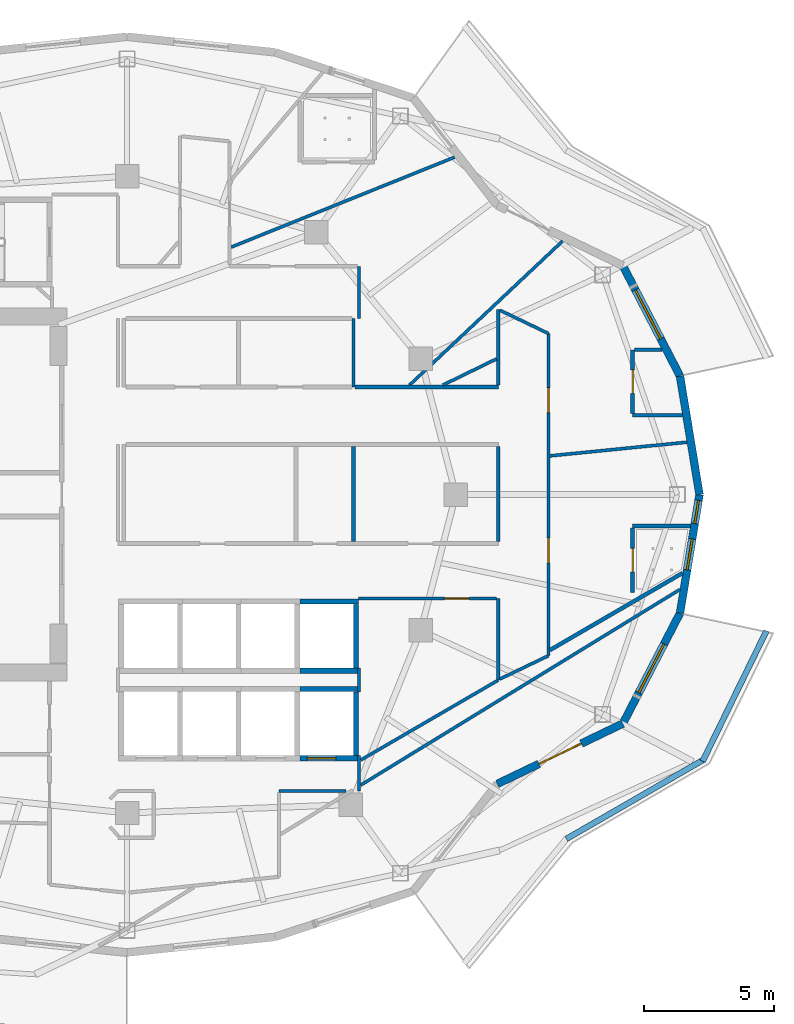
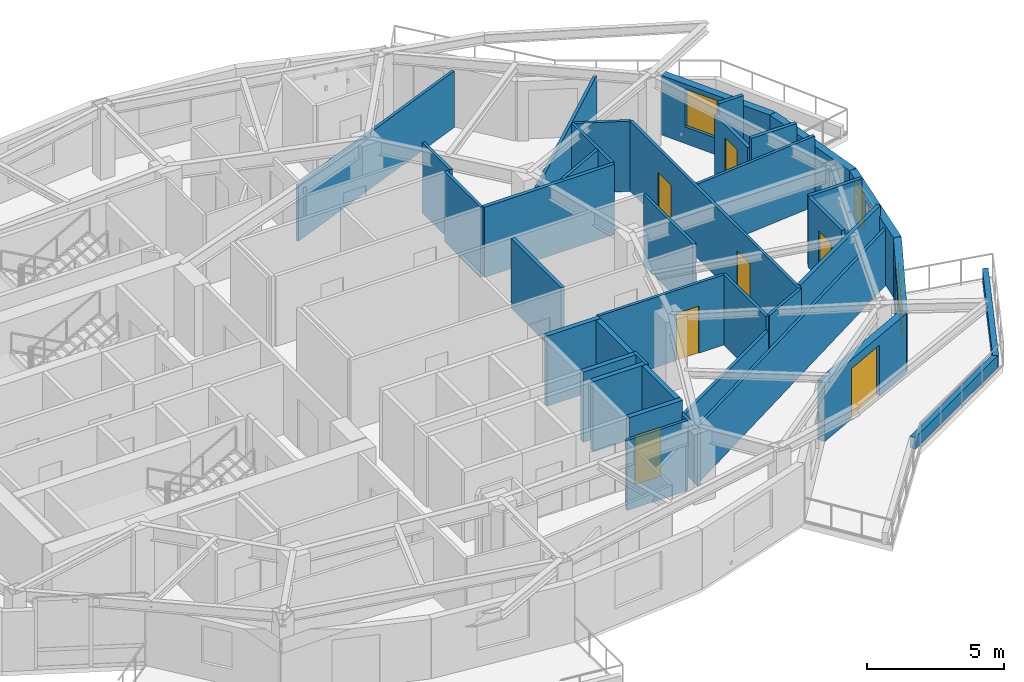
# One storey, part 10 of 16: 39 walls, 7 doors, 4 windows, 11 openings.
"""IFC4 building model written with IfcOpenShell, lengths in metres."""

from ifc_helpers import new_model, si_unit, direction, frame, frame_2d, origin, place, context, subcontext, project, spatial, rectangle, extrude, material, layer, layer_set, type_object, element, fill, save


model = new_model("IFC4")

# Units and contexts
model_context = context("Model", 3, precision=1e-05, world=origin(), true_north=direction((0.0, 1.0)))
body_context = subcontext(model_context, "Body", "Model", "MODEL_VIEW")
ifc_project = project(units=[si_unit("LENGTHUNIT", "METRE"), si_unit("AREAUNIT", "SQUARE_METRE"), si_unit("VOLUMEUNIT", "CUBIC_METRE"), si_unit("PLANEANGLEUNIT", "RADIAN"), si_unit("MASSUNIT", "GRAM", prefix="KILO")], contexts=[model_context])

# Site, building, storey
site_placement = place(None, origin())
site = spatial("IfcSite", under=ifc_project, at=site_placement, CompositionType="ELEMENT")
building_placement = place(site_placement, origin())
building = spatial("IfcBuilding", under=site, at=building_placement, Name="Kolvaren Gate Tower and Convention Centre", CompositionType="ELEMENT")
storey_placement = place(building_placement, frame((0.0, 0.0, 149.5)))
storey = spatial("IfcBuildingStorey", under=building, at=storey_placement, Name="L38", CompositionType="ELEMENT", Elevation=149.5)

# Walls
ifc_material_1 = material(Name="Fire-Rated Acoustic Gypsum Stud Partition", Category="gypsum")
ifc_layer_1 = layer(ifc_material_1, 0.1201171875)
ifc_layer_set_1 = layer_set([ifc_layer_1], Name="Fire-Rated Acoustic Gypsum Stud Partition")
wall_type_1 = type_object("IfcWallType", Name="ARCH-WL-PART-120", PredefinedType="PARTITIONING", material=ifc_layer_set_1)
wall_1_placement = place(storey_placement, frame((38.800048828125, 31.1201171875, 0.0), z_axis=(0.0, 0.0, 1.0), x_axis=(0.0, 1.0, 0.0)))
element("IfcWall", 1, at=wall_1_placement, inside=storey, type_object=wall_type_1, Name="Interior Partition WL-L38-INT-019", PredefinedType="PARTITIONING", context=body_context, shape_type="SweptSolid", body=[
    extrude(rectangle(XDim=2.6298828125, YDim=0.1201171875, at=frame_2d((1.31494140625, 0.0))), origin(), (0.0, 0.0, 1.0), 3.1298828125),
])
wall_2_placement = place(storey_placement, frame((39.02001953125, 15.64990234375, 0.0), z_axis=(0.0, 0.0, 1.0), x_axis=(0.0, 1.0, 0.0)))
element("IfcWall", 2, at=wall_2_placement, inside=storey, type_object=wall_type_1, Name="Interior Partition WL-L38-INT-023", PredefinedType="PARTITIONING", context=body_context, shape_type="SweptSolid", body=[
    extrude(rectangle(XDim=1.360107421875, YDim=0.1201171875, at=frame_2d((0.68017578125, 0.0))), origin(), (0.0, 0.0, 1.0), 2.5048828125),
])
wall_3_placement = place(storey_placement, frame((39.02001953125, 19.43994140625, 0.0), z_axis=(0.0, 0.0, 1.0), x_axis=(0.0, 1.0, 0.0)))
element("IfcWall", 3, at=wall_3_placement, inside=storey, type_object=wall_type_1, Name="Interior Partition WL-L38-INT-023 (2)", PredefinedType="PARTITIONING", context=body_context, shape_type="SweptSolid", body=[
    extrude(rectangle(XDim=0.920166015625, YDim=0.1201171875, at=frame_2d((0.4599609375, 0.0))), origin(), (0.0, 0.0, 1.0), 3.1298828125),
])
wall_4_placement = place(storey_placement, frame((39.02001953125, 33.75, 0.0), z_axis=(0.0, 0.0, 1.0), x_axis=(0.0, 1.0, 0.0)))
element("IfcWall", 4, at=wall_4_placement, inside=storey, type_object=wall_type_1, Name="Interior Partition WL-L38-INT-024", PredefinedType="PARTITIONING", context=body_context, shape_type="SweptSolid", body=[
    extrude(rectangle(XDim=2.0, YDim=0.1201171875, at=frame_2d((1.0, 0.0))), origin(), (0.0, 0.0, 1.0), 3.1298828125),
])
wall_5_placement = place(storey_placement, frame((35.949951171875, 15.64990234375, 0.0), z_axis=(0.0, 0.0, 1.0), x_axis=(1.0, 0.0, 0.0)))
element("IfcWall", 5, at=wall_5_placement, inside=storey, type_object=wall_type_1, Name="Interior Partition WL-L38-INT-026", PredefinedType="PARTITIONING", context=body_context, shape_type="SweptSolid", body=[
    extrude(rectangle(XDim=2.568115234375, YDim=0.1201171875, at=frame_2d((1.2841796875, 0.0))), origin(), (0.0, 0.0, 1.0), 3.1298828125),
])
wall_6_placement = place(storey_placement, frame((44.35009765625, 19.89111328125, 0.0), z_axis=(0.0, 0.0, 1.0), x_axis=(0.0, 1.0, 0.0)))
element("IfcWall", 6, at=wall_6_placement, inside=storey, type_object=wall_type_1, Name="Interior Partition WL-L38-INT-041", PredefinedType="PARTITIONING", context=body_context, shape_type="SweptSolid", body=[
    extrude(rectangle(XDim=3.12890625, YDim=0.1201171875, at=frame_2d((1.564453125, 0.0))), origin(), (0.0, 0.0, 1.0), 3.1298828125),
])
wall_7_placement = place(storey_placement, frame((44.35009765625, 25.197021484375, 0.0), z_axis=(0.0, 0.0, 1.0), x_axis=(0.0, 1.0, 0.0)))
element("IfcWall", 7, at=wall_7_placement, inside=storey, type_object=wall_type_1, Name="Interior Partition WL-L38-INT-042", PredefinedType="PARTITIONING", context=body_context, shape_type="SweptSolid", body=[
    extrude(rectangle(XDim=3.64599609375, YDim=0.1201171875, at=frame_2d((1.822998046875, 0.0))), origin(), (0.0, 0.0, 1.0), 3.1298828125),
])
wall_8_placement = place(storey_placement, frame((44.35009765625, 31.197021484375, 0.0), z_axis=(0.0, 0.0, 1.0), x_axis=(0.0, 1.0, 0.0)))
element("IfcWall", 8, at=wall_8_placement, inside=storey, type_object=wall_type_1, Name="Interior Partition WL-L38-INT-043", PredefinedType="PARTITIONING", context=body_context, shape_type="SweptSolid", body=[
    extrude(rectangle(XDim=2.89990234375, YDim=0.1201171875, at=frame_2d((1.449951171875, 0.0))), origin(), (0.0, 0.0, 1.0), 3.1298828125),
])
wall_9_placement = place(storey_placement, frame((44.412109375, 34.067138671875, 0.0), z_axis=(0.0, 0.0, 1.0), x_axis=(0.90128266231, -0.433231534656, 0.0)))
element("IfcWall", 9, at=wall_9_placement, inside=storey, type_object=wall_type_1, Name="Interior Partition WL-L38-INT-044", PredefinedType="PARTITIONING", context=body_context, shape_type="SweptSolid", body=[
    extrude(rectangle(XDim=2.0615234375, YDim=0.1201171875, at=frame_2d((1.03076171875, 0.0))), origin(), (0.0, 0.0, 1.0), 3.1298828125),
])

# Wall, openings, doors
wall_10_placement = place(storey_placement, frame((46.27001953125, 20.825927734375, 0.0), z_axis=(0.0, 0.0, 1.0), x_axis=(0.0, 1.0, 0.0)))
wall_10 = element("IfcWall", 10, at=wall_10_placement, inside=storey, type_object=wall_type_1, Name="Interior Partition WL-L38-INT-045", PredefinedType="PARTITIONING", context=body_context, shape_type="SweptSolid", body=[
    extrude(rectangle(XDim=12.34814453125, YDim=0.1201171875, at=frame_2d((6.174072265625, 0.0))), origin(), (0.0, 0.0, 1.0), 3.1298828125),
])
opening_1_placement = place(wall_10_placement, frame((3.5556640625, 0.0, 0.0)))
opening_1 = element("IfcOpeningElement", 11, at=opening_1_placement, cuts=wall_10, Name="Opening DR-01", PredefinedType="OPENING", context=body_context, shape_type="SweptSolid", body=[
    extrude(rectangle(XDim=0.949951171875, YDim=2.10009765625, at=frame_2d((0.47509765625, 1.050048828125))), frame((0.0, 0.070068359375, 0.0), z_axis=(0.0, -1.0, 0.0), x_axis=(1.0, 0.0, 0.0)), (0.0, 0.0, 1.0), 0.14013671875),
])
opening_2_placement = place(wall_10_placement, frame((9.318359375, 0.0, 0.0)))
opening_2 = element("IfcOpeningElement", 12, at=opening_2_placement, cuts=wall_10, Name="Opening DR-01", PredefinedType="OPENING", context=body_context, shape_type="SweptSolid", body=[
    extrude(rectangle(XDim=0.949951171875, YDim=2.10009765625, at=frame_2d((0.47509765625, 1.050048828125))), frame((0.0, 0.070068359375, 0.0), z_axis=(0.0, -1.0, 0.0), x_axis=(1.0, 0.0, 0.0)), (0.0, 0.0, 1.0), 0.14013671875),
])
ifc_material_2 = material(Name="Painted Architectural Steelwork ASTM A500 Grade C 345 MPa", Category="steel")
door_type_1 = type_object("IfcDoorType", Name="ARCH-DR-RISER-950", OperationType="SINGLE_SWING_RIGHT", PredefinedType="DOOR", material=ifc_material_2)
door_1_placement = place(opening_1_placement, origin())
door_1 = element("IfcDoor", 13, at=door_1_placement, inside=storey, type_object=door_type_1, Name="Deluxe Hotel Suite (HTL-L38-05) Door", OperationType="SINGLE_SWING_LEFT", OverallHeight=2.10009765625, OverallWidth=0.949951171875, PredefinedType="DOOR", context=body_context, shape_type="SweptSolid", body=[
    extrude(rectangle(XDim=0.949951171875, YDim=2.10009765625, at=frame_2d((0.47509765625, 1.050048828125))), frame((0.0, 0.02490234375, 0.0), z_axis=(0.0, -1.0, 0.0), x_axis=(1.0, 0.0, 0.0)), (0.0, 0.0, 1.0), 0.050048828125),
])
fill(opening_1, door_1)
door_2_placement = place(opening_2_placement, origin())
door_2 = element("IfcDoor", 14, at=door_2_placement, inside=storey, type_object=door_type_1, Name="Deluxe Hotel Suite (HTL-L38-07) Door", OperationType="SINGLE_SWING_LEFT", OverallHeight=2.10009765625, OverallWidth=0.949951171875, PredefinedType="DOOR", context=body_context, shape_type="SweptSolid", body=[
    extrude(rectangle(XDim=0.949951171875, YDim=2.10009765625, at=frame_2d((0.47509765625, 1.050048828125))), frame((0.0, 0.02490234375, 0.0), z_axis=(0.0, -1.0, 0.0), x_axis=(1.0, 0.0, 0.0)), (0.0, 0.0, 1.0), 0.050048828125),
])
fill(opening_2, door_2)

# Wall
wall_11_placement = place(storey_placement, frame((44.412109375, 19.932861328125, 0.0), z_axis=(0.0, 0.0, 1.0), x_axis=(0.90128266231, 0.433231534656, 0.0)))
element("IfcWall", 15, at=wall_11_placement, inside=storey, type_object=wall_type_1, Name="Interior Partition WL-L38-INT-046", PredefinedType="PARTITIONING", context=body_context, shape_type="SweptSolid", body=[
    extrude(rectangle(XDim=2.0615234375, YDim=0.1201171875, at=frame_2d((1.03076171875, 0.0))), origin(), (0.0, 0.0, 1.0), 3.1298828125),
])

# Wall, opening, door
wall_12_placement = place(storey_placement, frame((39.0, 23.02001953125, 0.0), z_axis=(0.0, 0.0, 1.0), x_axis=(1.0, 0.0, 0.0)))
wall_12 = element("IfcWall", 16, at=wall_12_placement, inside=storey, type_object=wall_type_1, Name="Interior Partition WL-L38-INT-047", PredefinedType="PARTITIONING", context=body_context, shape_type="SweptSolid", body=[
    extrude(rectangle(XDim=5.2880859375, YDim=0.1201171875, at=frame_2d((2.64404296875, 0.0))), origin(), (0.0, 0.0, 1.0), 3.1298828125),
])
opening_3_placement = place(wall_12_placement, frame((3.2890625, 0.0, 0.0)))
opening_3 = element("IfcOpeningElement", 17, at=opening_3_placement, cuts=wall_12, Name="Opening DR-01", PredefinedType="OPENING", context=body_context, shape_type="SweptSolid", body=[
    extrude(rectangle(XDim=0.949951171875, YDim=2.10009765625, at=frame_2d((0.47509765625, 1.050048828125))), frame((0.0, 0.070068359375, 0.0), z_axis=(0.0, -1.0, 0.0), x_axis=(1.0, 0.0, 0.0)), (0.0, 0.0, 1.0), 0.14013671875),
])
door_3_placement = place(opening_3_placement, origin())
door_3 = element("IfcDoor", 18, at=door_3_placement, inside=storey, type_object=door_type_1, Name="Banquet Tasting Pantry Door", OperationType="SINGLE_SWING_RIGHT", OverallHeight=2.10009765625, OverallWidth=0.949951171875, PredefinedType="DOOR", context=body_context, shape_type="SweptSolid", body=[
    extrude(rectangle(XDim=0.949951171875, YDim=2.10009765625, at=frame_2d((0.47509765625, 1.050048828125))), frame((0.0, 0.02490234375, 0.0), z_axis=(0.0, -1.0, 0.0), x_axis=(1.0, 0.0, 0.0)), (0.0, 0.0, 1.0), 0.050048828125),
])
fill(opening_3, door_3)

# Walls
wall_13_placement = place(storey_placement, frame((46.33203125, 28.485107421875, 0.0), z_axis=(0.0, 0.0, 1.0), x_axis=(0.995067863433, 0.099196507817, 0.0)))
element("IfcWall", 19, at=wall_13_placement, inside=storey, type_object=wall_type_1, Name="Interior Partition WL-L38-INT-053", PredefinedType="PARTITIONING", context=body_context, shape_type="SweptSolid", body=[
    extrude(rectangle(XDim=5.27197265625, YDim=0.1201171875, at=frame_2d((2.635986328125, 0.0))), origin(), (0.0, 0.0, 1.0), 3.1298828125),
])
wall_14_placement = place(storey_placement, frame((39.08203125, 15.86962890625, 0.0), z_axis=(0.0, 0.0, 1.0), x_axis=(0.852607858044, 0.522551280165, 0.0)))
element("IfcWall", 20, at=wall_14_placement, inside=storey, type_object=wall_type_1, Name="Interior Partition WL-L38-INT-057", PredefinedType="PARTITIONING", context=body_context, shape_type="SweptSolid", body=[
    extrude(rectangle(XDim=14.341796875, YDim=0.1201171875, at=frame_2d((7.1708984375, 0.0))), origin(), (0.0, 0.0, 1.0), 2.5048828125),
])
wall_15_placement = place(storey_placement, frame((39.08203125, 16.8291015625, 0.0), z_axis=(0.0, 0.0, 1.0), x_axis=(0.864565483681, 0.502520173155, 0.0)))
element("IfcWall", 21, at=wall_15_placement, inside=storey, type_object=wall_type_1, Name="Interior Partition WL-L38-INT-058", PredefinedType="PARTITIONING", context=body_context, shape_type="SweptSolid", body=[
    extrude(rectangle(XDim=6.09326171875, YDim=0.1201171875, at=frame_2d((3.046630859375, 0.0))), origin(), (0.0, 0.0, 1.0), 2.5048828125),
])
wall_16_placement = place(storey_placement, frame((42.224853515625, 31.197021484375, 0.0), z_axis=(0.0, 0.0, 1.0), x_axis=(0.898870643835, 0.438214063732, 0.0)))
element("IfcWall", 22, at=wall_16_placement, inside=storey, type_object=wall_type_1, Name="Interior Partition WL-L38-INT-064", PredefinedType="PARTITIONING", context=body_context, shape_type="SweptSolid", body=[
    extrude(rectangle(XDim=2.29541015625, YDim=0.1201171875, at=frame_2d((1.147705078125, 0.0))), origin(), (0.0, 0.0, 1.0), 3.1298828125),
])
wall_17_placement = place(storey_placement, frame((40.94873046875, 31.197021484375, 0.0), z_axis=(0.0, 0.0, 1.0), x_axis=(0.728258728927, 0.685302286397, 0.0)))
element("IfcWall", 23, at=wall_17_placement, inside=storey, type_object=wall_type_1, Name="Interior Partition WL-L38-INT-065", PredefinedType="PARTITIONING", context=body_context, shape_type="SweptSolid", body=[
    extrude(rectangle(XDim=8.053466796875, YDim=0.1201171875, at=frame_2d((4.02685546875, 0.0))), origin(), (0.0, 0.0, 1.0), 2.81201171875),
])
wall_18_placement = place(storey_placement, frame((34.112060546875, 36.48193359375, 0.0), z_axis=(0.0, 0.0, 1.0), x_axis=(0.92763911586, 0.373477804863, 0.0)))
element("IfcWall", 24, at=wall_18_placement, inside=storey, type_object=wall_type_1, Name="Interior Partition WL-L38-INT-067", PredefinedType="PARTITIONING", context=body_context, shape_type="SweptSolid", body=[
    extrude(rectangle(XDim=9.23291015625, YDim=0.1201171875, at=frame_2d((4.616455078125, 0.0))), origin(), (0.0, 0.0, 1.0), 2.5048828125),
])
ifc_material_3 = material(Name="Piedmont Cream Honed Limestone Cladding", Category="masonry")
ifc_layer_2 = layer(ifc_material_3, 0.219970703125)
ifc_layer_set_2 = layer_set([ifc_layer_2], Name="Piedmont Cream Honed Limestone Cladding")
wall_type_2 = type_object("IfcWallType", Name="ARCH-WL-PLANTER-220", PredefinedType="PARAPET", material=ifc_layer_set_2)
wall_19_placement = place(storey_placement, frame((46.95751953125, 13.8046875, 0.0), z_axis=(0.0, 0.0, 1.0), x_axis=(0.866058128659, 0.499943314571, 0.0)))
element("IfcWall", 25, at=wall_19_placement, inside=storey, type_object=wall_type_2, Name="Vertical-Forest Balcony Stone Planter Kerb PK-L38-4.2", PredefinedType="PARAPET", context=body_context, shape_type="SweptSolid", body=[
    extrude(rectangle(XDim=6.060302734375, YDim=0.219970703125, at=frame_2d((3.0302734375, 0.0))), origin(), (0.0, 0.0, 1.0), 0.52001953125),
])
wall_20_placement = place(storey_placement, frame((52.180419921875, 16.778564453125, 0.0), z_axis=(0.0, 0.0, 1.0), x_axis=(0.439637174641, 0.898175458735, 0.0)))
element("IfcWall", 26, at=wall_20_placement, inside=storey, type_object=wall_type_2, Name="Vertical-Forest Balcony Stone Planter Kerb PK-L38-4.3", PredefinedType="PARAPET", context=body_context, shape_type="SweptSolid", body=[
    extrude(rectangle(XDim=5.567138671875, YDim=0.219970703125, at=frame_2d((2.78369140625, 0.0))), origin(), (0.0, 0.0, 1.0), 0.52001953125),
])
ifc_material_4 = material(Name="Autoclaved Aerated Masonry Blockwork Class 4 (4.0 MPa)", Category="masonry")
ifc_layer_3 = layer(ifc_material_4, 0.199951171875)
ifc_layer_set_3 = layer_set([ifc_layer_3], Name="Autoclaved Aerated Masonry Blockwork Class 4 (4.0 MPa)")
wall_type_3 = type_object("IfcWallType", Name="ARCH-WL-SHAFT-200", PredefinedType="SOLIDWALL", material=ifc_layer_set_3)
wall_21_placement = place(storey_placement, frame((36.75, 19.550048828125, 0.0), z_axis=(0.0, 0.0, 1.0), x_axis=(1.0, 0.0, 0.0)))
element("IfcWall", 27, at=wall_21_placement, inside=storey, type_object=wall_type_3, Name="Elevator PL-08 L38 Fire Shaft Wall N", PredefinedType="SOLIDWALL", context=body_context, shape_type="SweptSolid", body=[
    extrude(rectangle(XDim=2.25, YDim=0.199951171875, at=frame_2d((1.125, 0.0))), origin(), (0.0, 0.0, 1.0), 3.1298828125),
])

# Wall, opening, door
wall_22_placement = place(storey_placement, frame((36.75, 16.89990234375, 0.0), z_axis=(0.0, 0.0, 1.0), x_axis=(1.0, 0.0, 0.0)))
wall_22 = element("IfcWall", 28, at=wall_22_placement, inside=storey, type_object=wall_type_3, Name="Elevator PL-08 L38 Fire Shaft Wall S", PredefinedType="SOLIDWALL", context=body_context, shape_type="SweptSolid", body=[
    extrude(rectangle(XDim=2.25, YDim=0.199951171875, at=frame_2d((1.125, 0.0))), origin(), (0.0, 0.0, 1.0), 3.1298828125),
])
opening_4_placement = place(wall_22_placement, frame((0.280029296875, 0.0, 0.0)))
opening_4 = element("IfcOpeningElement", 29, at=opening_4_placement, cuts=wall_22, Name="Opening LD", PredefinedType="OPENING", context=body_context, shape_type="SweptSolid", body=[
    extrude(rectangle(XDim=1.10009765625, YDim=2.199951171875, at=frame_2d((0.550048828125, 1.10009765625))), frame((0.0, 0.10986328125, 0.0), z_axis=(0.0, -1.0, 0.0), x_axis=(1.0, 0.0, 0.0)), (0.0, 0.0, 1.0), 0.219970703125),
])
ifc_material_5 = material(Name="Brushed Stainless Steel Grade 316L", Category="steel")
door_type_2 = type_object("IfcDoorType", Name="ARCH-DR-LIFT-1100", OperationType="SLIDING_TO_LEFT", PredefinedType="DOOR", material=ifc_material_5)
door_4_placement = place(opening_4_placement, origin())
door_4 = element("IfcDoor", 30, at=door_4_placement, inside=storey, type_object=door_type_2, Name="Elevator PL-08 L38 Sliding Landing Door", OperationType="SLIDING_TO_LEFT", OverallHeight=2.199951171875, OverallWidth=1.10009765625, PredefinedType="DOOR", context=body_context, shape_type="SweptSolid", body=[
    extrude(rectangle(XDim=1.10009765625, YDim=2.199951171875, at=frame_2d((0.550048828125, 1.10009765625))), frame((0.0, 0.02490234375, 0.0), z_axis=(0.0, -1.0, 0.0), x_axis=(1.0, 0.0, 0.0)), (0.0, 0.0, 1.0), 0.050048828125),
])
fill(opening_4, door_4)

# Walls
wall_23_placement = place(storey_placement, frame((38.89990234375, 17.010009765625, 0.0), z_axis=(0.0, 0.0, 1.0), x_axis=(0.0, 1.0, 0.0)))
element("IfcWall", 31, at=wall_23_placement, inside=storey, type_object=wall_type_3, Name="Elevator PL-08 L38 Fire Shaft Wall E", PredefinedType="SOLIDWALL", context=body_context, shape_type="SweptSolid", body=[
    extrude(rectangle(XDim=2.429931640625, YDim=0.199951171875, at=frame_2d((1.21484375, 0.0))), origin(), (0.0, 0.0, 1.0), 3.1298828125),
])
for number, where, z_axis, x_axis, name in (
    (32, (36.75, 22.89990234375, 0.0), (0.0, 0.0, 1.0), (1.0, 0.0, 0.0), "Elevator PL-12 L38 Fire Shaft Wall N"),
    (33, (36.75, 20.25, 0.0), (0.0, 0.0, 1.0), (1.0, 0.0, 0.0), "Elevator PL-12 L38 Fire Shaft Wall S"),
):
    element("IfcWall", number, at=place(storey_placement, frame(where, z_axis=z_axis, x_axis=x_axis)), inside=storey, type_object=wall_type_3, Name=name, PredefinedType="SOLIDWALL", context=body_context, shape_type="SweptSolid", body=[
        extrude(rectangle(XDim=2.25, YDim=0.199951171875, at=frame_2d((1.125, 0.0))), origin(), (0.0, 0.0, 1.0), 3.1298828125),
    ])
wall_24_placement = place(storey_placement, frame((38.89990234375, 20.360107421875, 0.0), z_axis=(0.0, 0.0, 1.0), x_axis=(0.0, 1.0, 0.0)))
element("IfcWall", 34, at=wall_24_placement, inside=storey, type_object=wall_type_3, Name="Elevator PL-12 L38 Fire Shaft Wall E", PredefinedType="SOLIDWALL", context=body_context, shape_type="SweptSolid", body=[
    extrude(rectangle(XDim=2.429931640625, YDim=0.199951171875, at=frame_2d((1.21484375, 0.0))), origin(), (0.0, 0.0, 1.0), 3.1298828125),
])
ifc_layer_4 = layer(ifc_material_3, 0.300048828125)
ifc_layer_set_4 = layer_set([ifc_layer_4], Name="Piedmont Cream Honed Limestone Cladding")
wall_type_4 = type_object("IfcWallType", Name="ARCH-WL-STONE-300", PredefinedType="SOLIDWALL", material=ifc_layer_set_4)
wall_25_placement = place(storey_placement, frame((51.31494140625, 31.542236328125, 0.0), z_axis=(0.0, 0.0, 1.0), x_axis=(0.162394765401, -0.986725868806, 0.0)))
element("IfcWall", 35, at=wall_25_placement, inside=storey, type_object=wall_type_4, Name="Tower L38 Honed Stone Spandrel Wall EW-00", PredefinedType="SOLIDWALL", context=body_context, shape_type="SweptSolid", body=[
    extrude(rectangle(XDim=4.603271484375, YDim=0.300048828125, at=frame_2d((2.3017578125, 0.0))), origin(), (0.0, 0.0, 1.0), 2.653076171875),
])

# Wall, opening, window
wall_26_placement = place(storey_placement, frame((49.123291015625, 35.77490234375, 0.0), z_axis=(0.0, 0.0, 1.0), x_axis=(0.459810251451, -0.888017191647, 0.0)))
wall_26 = element("IfcWall", 36, at=wall_26_placement, inside=storey, type_object=wall_type_4, Name="Tower L38 Honed Stone Spandrel Wall EW-01", PredefinedType="SOLIDWALL", context=body_context, shape_type="SweptSolid", body=[
    extrude(rectangle(XDim=4.766357421875, YDim=0.300048828125, at=frame_2d((2.38330078125, 0.0))), origin(), (0.0, 0.0, 1.0), 2.653076171875),
])
opening_5_placement = place(wall_26_placement, frame((1.050048828125, 0.0, 0.739990234375)))
opening_5 = element("IfcOpeningElement", 37, at=opening_5_placement, cuts=wall_26, Name="Opening W-02", PredefinedType="OPENING", context=body_context, shape_type="SweptSolid", body=[
    extrude(rectangle(XDim=2.10009765625, YDim=1.699951171875, at=frame_2d((1.050048828125, 0.85009765625))), frame((0.0, 0.159912109375, 0.0), z_axis=(0.0, -1.0, 0.0), x_axis=(1.0, 0.0, 0.0)), (0.0, 0.0, 1.0), 0.320068359375),
])
ifc_material_6 = material(Name="Low-E Triple Insulated Glazing Unit 44 mm", Category="glass")
window_type_1 = type_object("IfcWindowType", Name="ARCH-WN-HTL-2100", PartitioningType="SINGLE_PANEL", PredefinedType="WINDOW", material=ifc_material_6)
window_1_placement = place(opening_5_placement, origin())
window_1 = element("IfcWindow", 38, at=window_1_placement, inside=storey, type_object=window_type_1, Name="Tower L38 Punched Stone Facade Window W-01", OverallHeight=1.699951171875, OverallWidth=2.10009765625, PartitioningType="SINGLE_PANEL", PredefinedType="WINDOW", context=body_context, shape_type="SweptSolid", body=[
    extrude(rectangle(XDim=2.10009765625, YDim=1.699951171875, at=frame_2d((1.050048828125, 0.85009765625))), frame((0.0, 0.030029296875, 0.0), z_axis=(0.0, -1.0, 0.0), x_axis=(1.0, 0.0, 0.0)), (0.0, 0.0, 1.0), 0.06005859375),
])
fill(opening_5, window_1)

# Wall, opening, door
wall_27_placement = place(storey_placement, frame((44.3134765625, 15.9140625, 0.0), z_axis=(0.0, 0.0, 1.0), x_axis=(0.901353070301, 0.433085029363, 0.0)))
wall_27 = element("IfcWall", 39, at=wall_27_placement, inside=storey, type_object=wall_type_4, Name="Tower L38 Honed Stone Spandrel Wall EW-21", PredefinedType="SOLIDWALL", context=body_context, shape_type="SweptSolid", body=[
    extrude(rectangle(XDim=5.336181640625, YDim=0.300048828125, at=frame_2d((2.66796875, 0.0))), origin(), (0.0, 0.0, 1.0), 2.653076171875),
])
opening_6_placement = place(wall_27_placement, frame((1.76806640625, 0.0, 0.0)))
opening_6 = element("IfcOpeningElement", 40, at=opening_6_placement, cuts=wall_27, Name="Opening DB-01", PredefinedType="OPENING", context=body_context, shape_type="SweptSolid", body=[
    extrude(rectangle(XDim=1.800048828125, YDim=2.25, at=frame_2d((0.89990234375, 1.125))), frame((0.0, 0.159912109375, 0.0), z_axis=(0.0, -1.0, 0.0), x_axis=(1.0, 0.0, 0.0)), (0.0, 0.0, 1.0), 0.320068359375),
])
ifc_material_7 = material(Name="Anodized Architectural Aluminium Alloy 6063-T6", Category="aluminium")
door_type_3 = type_object("IfcDoorType", Name="ARCH-DR-BALC-1800", OperationType="SLIDING_TO_LEFT", PredefinedType="DOOR", material=ifc_material_7)
door_5_placement = place(opening_6_placement, frame((1.800048828125, 0.0, 0.0), z_axis=(0.0, 0.0, 1.0), x_axis=(-1.0, 0.0, 0.0)))
door_5 = element("IfcDoor", 41, at=door_5_placement, inside=storey, type_object=door_type_3, Name="Planted Sky Terrace Access Door DB-L38-21", OperationType="SLIDING_TO_LEFT", OverallHeight=2.25, OverallWidth=1.800048828125, PredefinedType="DOOR", context=body_context, shape_type="SweptSolid", body=[
    extrude(rectangle(XDim=1.800048828125, YDim=2.25, at=frame_2d((0.89990234375, 1.125))), frame((0.0, 0.02490234375, 0.0), z_axis=(0.0, -1.0, 0.0), x_axis=(1.0, 0.0, 0.0)), (0.0, 0.0, 1.0), 0.050048828125),
])
fill(opening_6, door_5)

# Wall, opening, window
wall_28_placement = place(storey_placement, frame((49.123291015625, 18.22509765625, 0.0), z_axis=(0.0, 0.0, 1.0), x_axis=(0.459810251451, 0.888017191647, 0.0)))
wall_28 = element("IfcWall", 42, at=wall_28_placement, inside=storey, type_object=wall_type_4, Name="Tower L38 Honed Stone Spandrel Wall EW-22", PredefinedType="SOLIDWALL", context=body_context, shape_type="SweptSolid", body=[
    extrude(rectangle(XDim=4.766357421875, YDim=0.300048828125, at=frame_2d((2.38330078125, 0.0))), origin(), (0.0, 0.0, 1.0), 2.653076171875),
])
opening_7_placement = place(wall_28_placement, frame((1.3330078125, 0.0, 0.739990234375)))
opening_7 = element("IfcOpeningElement", 43, at=opening_7_placement, cuts=wall_28, Name="Opening W-02", PredefinedType="OPENING", context=body_context, shape_type="SweptSolid", body=[
    extrude(rectangle(XDim=2.10009765625, YDim=1.699951171875, at=frame_2d((1.050048828125, 0.85009765625))), frame((0.0, 0.159912109375, 0.0), z_axis=(0.0, -1.0, 0.0), x_axis=(1.0, 0.0, 0.0)), (0.0, 0.0, 1.0), 0.320068359375),
])
window_2_placement = place(opening_7_placement, origin())
window_2 = element("IfcWindow", 44, at=window_2_placement, inside=storey, type_object=window_type_1, Name="Tower L38 Punched Stone Facade Window W-22", OverallHeight=1.699951171875, OverallWidth=2.10009765625, PartitioningType="SINGLE_PANEL", PredefinedType="WINDOW", context=body_context, shape_type="SweptSolid", body=[
    extrude(rectangle(XDim=2.10009765625, YDim=1.699951171875, at=frame_2d((1.050048828125, 0.85009765625))), frame((0.0, 0.030029296875, 0.0), z_axis=(0.0, -1.0, 0.0), x_axis=(1.0, 0.0, 0.0)), (0.0, 0.0, 1.0), 0.06005859375),
])
fill(opening_7, window_2)

# Wall, openings, windows
wall_29_placement = place(storey_placement, frame((51.31494140625, 22.457763671875, 0.0), z_axis=(0.0, 0.0, 1.0), x_axis=(0.162394765401, 0.986725868806, 0.0)))
wall_29 = element("IfcWall", 45, at=wall_29_placement, inside=storey, type_object=wall_type_4, Name="Tower L38 Honed Stone Spandrel Wall EW-23", PredefinedType="SOLIDWALL", context=body_context, shape_type="SweptSolid", body=[
    extrude(rectangle(XDim=4.603271484375, YDim=0.300048828125, at=frame_2d((2.3017578125, 0.0))), origin(), (0.0, 0.0, 1.0), 2.653076171875),
])
opening_8_placement = place(wall_29_placement, frame((1.679931640625, 0.0, 0.739990234375)))
opening_8 = element("IfcOpeningElement", 46, at=opening_8_placement, cuts=wall_29, Name="Opening W-04", PredefinedType="OPENING", context=body_context, shape_type="SweptSolid", body=[
    extrude(rectangle(XDim=1.199951171875, YDim=1.699951171875, at=frame_2d((0.60009765625, 0.85009765625))), frame((0.0, 0.159912109375, 0.0), z_axis=(0.0, -1.0, 0.0), x_axis=(1.0, 0.0, 0.0)), (0.0, 0.0, 1.0), 0.320068359375),
])
opening_9_placement = place(wall_29_placement, frame((3.47998046875, 0.0, 0.719970703125)))
opening_9 = element("IfcOpeningElement", 47, at=opening_9_placement, cuts=wall_29, Name="Opening W-06", PredefinedType="OPENING", context=body_context, shape_type="SweptSolid", body=[
    extrude(rectangle(XDim=0.89990234375, YDim=1.64990234375, at=frame_2d((0.449951171875, 0.824951171875))), frame((0.0, 0.159912109375, 0.0), z_axis=(0.0, -1.0, 0.0), x_axis=(1.0, 0.0, 0.0)), (0.0, 0.0, 1.0), 0.320068359375),
])
window_type_2 = type_object("IfcWindowType", Name="ARCH-WN-NARROW-1200", PartitioningType="SINGLE_PANEL", PredefinedType="WINDOW", material=ifc_material_6)
window_3_placement = place(opening_8_placement, origin())
window_3 = element("IfcWindow", 48, at=window_3_placement, inside=storey, type_object=window_type_2, Name="Tower L38 Punched Stone Facade Window W-23", OverallHeight=1.699951171875, OverallWidth=1.199951171875, PartitioningType="SINGLE_PANEL", PredefinedType="WINDOW", context=body_context, shape_type="SweptSolid", body=[
    extrude(rectangle(XDim=1.199951171875, YDim=1.699951171875, at=frame_2d((0.60009765625, 0.85009765625))), frame((0.0, 0.030029296875, 0.0), z_axis=(0.0, -1.0, 0.0), x_axis=(1.0, 0.0, 0.0)), (0.0, 0.0, 1.0), 0.06005859375),
])
fill(opening_8, window_3)
window_type_3 = type_object("IfcWindowType", Name="ARCH-WN-PUNCH-900", PartitioningType="SINGLE_PANEL", PredefinedType="WINDOW", material=ifc_material_6)
window_4_placement = place(opening_9_placement, origin())
window_4 = element("IfcWindow", 49, at=window_4_placement, inside=storey, type_object=window_type_3, Name="Tower L38 Dwelling Daylight Window DW-01", OverallHeight=1.64990234375, OverallWidth=0.89990234375, PartitioningType="SINGLE_PANEL", PredefinedType="WINDOW", context=body_context, shape_type="SweptSolid", body=[
    extrude(rectangle(XDim=0.89990234375, YDim=1.64990234375, at=frame_2d((0.449951171875, 0.824951171875))), frame((0.0, 0.030029296875, 0.0), z_axis=(0.0, -1.0, 0.0), x_axis=(1.0, 0.0, 0.0)), (0.0, 0.0, 1.0), 0.06005859375),
])
fill(opening_9, window_4)

# Walls
ifc_material_8 = material(Name="Moisture-Resistant Cement-Board Acoustic Partition", Category="gypsum")
ifc_layer_5 = layer(ifc_material_8, 0.14990234375)
ifc_layer_set_5 = layer_set([ifc_layer_5], Name="Moisture-Resistant Cement-Board Acoustic Partition")
wall_type_5 = type_object("IfcWallType", Name="ARCH-WL-WET-150", PredefinedType="PARTITIONING", material=ifc_layer_set_5)
wall_30_placement = place(storey_placement, frame((49.5, 30.0400390625, 0.0), z_axis=(0.0, 0.0, 1.0), x_axis=(1.0, 0.0, 0.0)))
element("IfcWall", 50, at=wall_30_placement, inside=storey, type_object=wall_type_5, Name="Interior Partition WL-L38-INT-001", PredefinedType="PARTITIONING", context=body_context, shape_type="SweptSolid", body=[
    extrude(rectangle(XDim=1.908203125, YDim=0.14990234375, at=frame_2d((0.9541015625, 0.0))), origin(), (0.0, 0.0, 1.0), 3.1298828125),
])
wall_31_placement = place(storey_placement, frame((38.800048828125, 25.197021484375, 0.0), z_axis=(0.0, 0.0, 1.0), x_axis=(0.0, 1.0, 0.0)))
element("IfcWall", 51, at=wall_31_placement, inside=storey, type_object=wall_type_5, Name="Interior Partition WL-L38-INT-018", PredefinedType="PARTITIONING", context=body_context, shape_type="SweptSolid", body=[
    extrude(rectangle(XDim=3.64599609375, YDim=0.14990234375, at=frame_2d((1.822998046875, 0.0))), origin(), (0.0, 0.0, 1.0), 3.1298828125),
])
wall_32_placement = place(storey_placement, frame((38.862060546875, 31.1201171875, 0.0), z_axis=(0.0, 0.0, 1.0), x_axis=(1.0, 0.0, 0.0)))
element("IfcWall", 52, at=wall_32_placement, inside=storey, type_object=wall_type_5, Name="Interior Partition WL-L38-INT-020 (2)", PredefinedType="PARTITIONING", context=body_context, shape_type="SweptSolid", body=[
    extrude(rectangle(XDim=5.488037109375, YDim=0.14990234375, at=frame_2d((2.744140625, 0.0))), origin(), (0.0, 0.0, 1.0), 3.1298828125),
])
wall_33_placement = place(storey_placement, frame((46.33203125, 21.04296875, 0.0), z_axis=(0.0, 0.0, 1.0), x_axis=(0.864559641837, 0.502530223674, 0.0)))
element("IfcWall", 53, at=wall_33_placement, inside=storey, type_object=wall_type_5, Name="Interior Partition WL-L38-INT-059", PredefinedType="PARTITIONING", context=body_context, shape_type="SweptSolid", body=[
    extrude(rectangle(XDim=5.87841796875, YDim=0.14990234375, at=frame_2d((2.939208984375, 0.0))), origin(), (0.0, 0.0, 1.0), 3.1298828125),
])
wall_34_placement = place(storey_placement, frame((49.5, 25.800048828125, 0.0), z_axis=(0.0, 0.0, 1.0), x_axis=(1.0, 0.0, 0.0)))
element("IfcWall", 54, at=wall_34_placement, inside=storey, type_object=wall_type_5, Name="Interior Partition WL-L38-INT-060", PredefinedType="PARTITIONING", context=body_context, shape_type="SweptSolid", body=[
    extrude(rectangle(XDim=2.2109375, YDim=0.14990234375, at=frame_2d((1.10546875, 0.0))), origin(), (0.0, 0.0, 1.0), 3.1298828125),
])

# Wall, opening, door
wall_35_placement = place(storey_placement, frame((49.5, 23.25, 0.0), z_axis=(0.0, 0.0, 1.0), x_axis=(0.0, 1.0, 0.0)))
wall_35 = element("IfcWall", 55, at=wall_35_placement, inside=storey, type_object=wall_type_5, Name="Interior Partition WL-L38-INT-061", PredefinedType="PARTITIONING", context=body_context, shape_type="SweptSolid", body=[
    extrude(rectangle(XDim=2.472900390625, YDim=0.14990234375, at=frame_2d((1.236328125, 0.0))), origin(), (0.0, 0.0, 1.0), 3.1298828125),
])
opening_10_placement = place(wall_35_placement, frame((0.78662109375, 0.0, 0.0)))
opening_10 = element("IfcOpeningElement", 56, at=opening_10_placement, cuts=wall_35, Name="Opening DW-01", PredefinedType="OPENING", context=body_context, shape_type="SweptSolid", body=[
    extrude(rectangle(XDim=0.89990234375, YDim=2.10009765625, at=frame_2d((0.449951171875, 1.050048828125))), frame((0.0, 0.0849609375, 0.0), z_axis=(0.0, -1.0, 0.0), x_axis=(1.0, 0.0, 0.0)), (0.0, 0.0, 1.0), 0.169921875),
])
ifc_material_9 = material(Name="FSC Andean Oak Engineered Veneer Door Leaf", Category="wood")
door_type_4 = type_object("IfcDoorType", Name="ARCH-DR-WC-900", OperationType="SINGLE_SWING_RIGHT", PredefinedType="DOOR", material=ifc_material_9)
door_6_placement = place(opening_10_placement, origin())
door_6 = element("IfcDoor", 57, at=door_6_placement, inside=storey, type_object=door_type_4, Name="En-suite Bathroom (HTL-L38-05) Door", OperationType="SINGLE_SWING_LEFT", OverallHeight=2.10009765625, OverallWidth=0.89990234375, PredefinedType="DOOR", context=body_context, shape_type="SweptSolid", body=[
    extrude(rectangle(XDim=0.89990234375, YDim=2.10009765625, at=frame_2d((0.449951171875, 1.050048828125))), frame((0.0, 0.02490234375, 0.0), z_axis=(0.0, -1.0, 0.0), x_axis=(1.0, 0.0, 0.0)), (0.0, 0.0, 1.0), 0.050048828125),
])
fill(opening_10, door_6)

wall_36_placement = place(storey_placement, frame((49.5, 30.116943359375, 0.0), z_axis=(0.0, 0.0, 1.0), x_axis=(0.0, 1.0, 0.0)))
wall_36 = element("IfcWall", 58, at=wall_36_placement, inside=storey, type_object=wall_type_5, Name="Interior Partition WL-L38-INT-062", PredefinedType="PARTITIONING", context=body_context, shape_type="SweptSolid", body=[
    extrude(rectangle(XDim=2.43310546875, YDim=0.14990234375, at=frame_2d((1.216552734375, 0.0))), origin(), (0.0, 0.0, 1.0), 2.653076171875),
])
opening_11_placement = place(wall_36_placement, frame((0.7666015625, 0.0, 0.0)))
opening_11 = element("IfcOpeningElement", 59, at=opening_11_placement, cuts=wall_36, Name="Opening DW-01", PredefinedType="OPENING", context=body_context, shape_type="SweptSolid", body=[
    extrude(rectangle(XDim=0.89990234375, YDim=2.10009765625, at=frame_2d((0.449951171875, 1.050048828125))), frame((0.0, 0.0849609375, 0.0), z_axis=(0.0, -1.0, 0.0), x_axis=(1.0, 0.0, 0.0)), (0.0, 0.0, 1.0), 0.169921875),
])
door_7_placement = place(opening_11_placement, origin())
door_7 = element("IfcDoor", 60, at=door_7_placement, inside=storey, type_object=door_type_4, Name="En-suite Bathroom (HTL-L38-07) Door", OperationType="SINGLE_SWING_RIGHT", OverallHeight=2.10009765625, OverallWidth=0.89990234375, PredefinedType="DOOR", context=body_context, shape_type="SweptSolid", body=[
    extrude(rectangle(XDim=0.89990234375, YDim=2.10009765625, at=frame_2d((0.449951171875, 1.050048828125))), frame((0.0, 0.02490234375, 0.0), z_axis=(0.0, -1.0, 0.0), x_axis=(1.0, 0.0, 0.0)), (0.0, 0.0, 1.0), 0.050048828125),
])
fill(opening_11, door_7)

# Wall
wall_37_placement = place(storey_placement, frame((49.576904296875, 32.550048828125, 0.0), z_axis=(0.0, 0.0, 1.0), x_axis=(1.0, 0.0, 0.0)))
element("IfcWall", 61, at=wall_37_placement, inside=storey, type_object=wall_type_5, Name="Interior Partition WL-L38-INT-063", PredefinedType="PARTITIONING", context=body_context, shape_type="SweptSolid", body=[
    extrude(rectangle(XDim=1.045166015625, YDim=0.14990234375, at=frame_2d((0.5224609375, 0.0))), origin(), (0.0, 0.0, 1.0), 3.1298828125),
])

save(model, "model.ifc")
